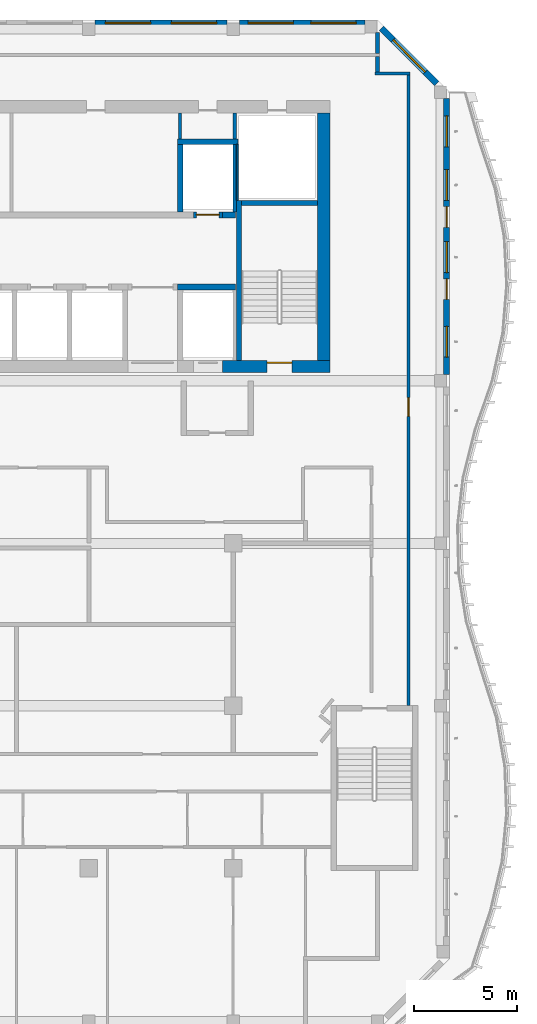
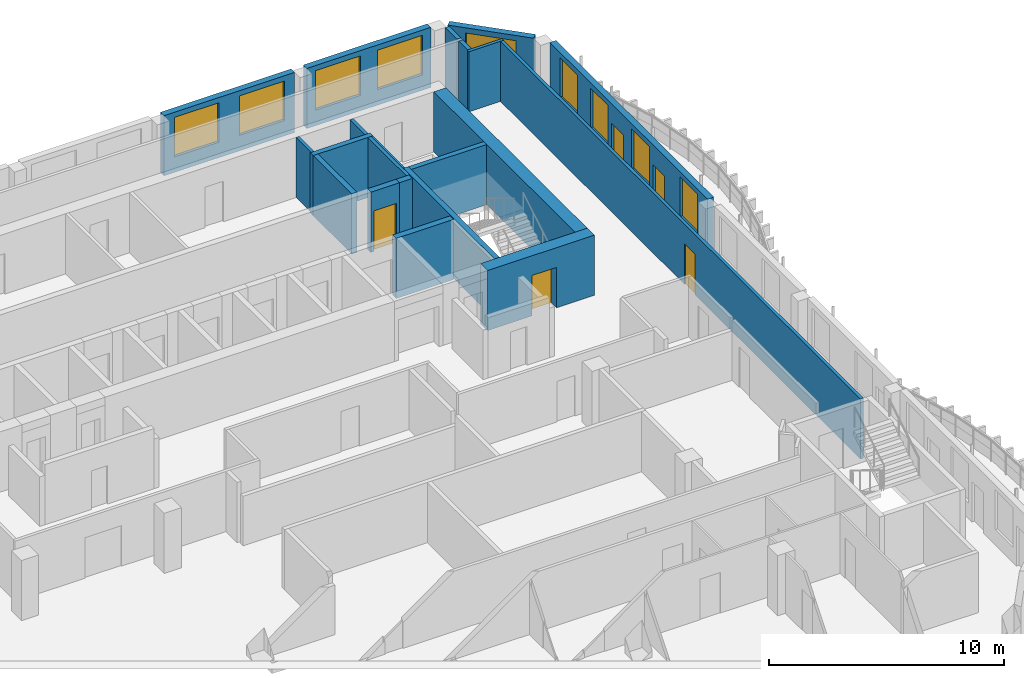
# One storey, part 8 of 17: 21 walls, 9 windows, 5 doors, 14 openings.
"""IFC4 building model written with IfcOpenShell, lengths in metres."""

from ifc_helpers import new_model, si_unit, direction, frame, frame_2d, origin, place, context, subcontext, project, spatial, rectangle, extrude, source, transform, mapped, material, layer, layer_set, type_object, element, fill, save


model = new_model("IFC4")

# Units and contexts
model_context = context("Model", 3, precision=1e-05, world=origin(), true_north=direction((0.0, 1.0)))
body_context = subcontext(model_context, "Body", "Model", "MODEL_VIEW")
ifc_project = project(units=[si_unit("LENGTHUNIT", "METRE"), si_unit("AREAUNIT", "SQUARE_METRE"), si_unit("VOLUMEUNIT", "CUBIC_METRE"), si_unit("PLANEANGLEUNIT", "RADIAN"), si_unit("MASSUNIT", "GRAM", prefix="KILO")], contexts=[model_context])

# Site, building, storey
site_placement = place(None, origin())
site = spatial("IfcSite", under=ifc_project, at=site_placement, CompositionType="ELEMENT")
building_placement = place(site_placement, origin())
building = spatial("IfcBuilding", under=site, at=building_placement, Name="Kilnfold Tower and Market Hall", CompositionType="ELEMENT")
storey_placement = place(building_placement, frame((0.0, 0.0, 298.39990234375)))
storey = spatial("IfcBuildingStorey", under=building, at=storey_placement, Name="L74", CompositionType="ELEMENT", Elevation=298.39990234375)

# Wall
ifc_material_1 = material(Name="Gypsum board on steel studs", Category="steel")
ifc_layer_1 = layer(ifc_material_1, 0.14990234375)
ifc_layer_set_1 = layer_set([ifc_layer_1], Name="Gypsum board on steel studs")
wall_type_1 = type_object("IfcWallType", Name="WALL CORRIDOR 150", PredefinedType="PARTITIONING", material=ifc_layer_set_1)
wall_1_placement = place(storey_placement, frame((21.574951171875, 22.89990234375, 0.0), z_axis=(0.0, 0.0, 1.0), x_axis=(-1.0, 0.0, 0.0)))
element("IfcWall", 1, at=wall_1_placement, inside=storey, type_object=wall_type_1, Name="Partition LY45.5", PredefinedType="PARTITIONING", context=body_context, shape_type="SweptSolid", body=[
    extrude(rectangle(XDim=1.68701171875, YDim=0.14990234375, at=frame_2d((0.843505859375, 0.0))), origin(), (0.0, 0.0, 1.0), 3.1201171875),
])

# Wall, opening, door
wall_2_placement = place(storey_placement, frame((21.5, -7.75, 0.0), z_axis=(0.0, 0.0, 1.0), x_axis=(0.0, 1.0, 0.0)))
wall_2 = element("IfcWall", 2, at=wall_2_placement, inside=storey, type_object=wall_type_1, Name="Partition LY45.6", PredefinedType="PARTITIONING", context=body_context, shape_type="SweptSolid", body=[
    extrude(rectangle(XDim=30.574951171875, YDim=0.14990234375, at=frame_2d((15.28759765625, 0.0))), origin(), (0.0, 0.0, 1.0), 3.1201171875),
])
opening_1_placement = place(wall_2_placement, frame((14.034912109375, 0.0, 0.0)))
opening_1 = element("IfcOpeningElement", 3, at=opening_1_placement, cuts=wall_2, Name="Opening D2", PredefinedType="OPENING", context=body_context, shape_type="SweptSolid", body=[
    extrude(rectangle(XDim=0.89990234375, YDim=2.10009765625, at=frame_2d((0.449951171875, 1.050048828125))), frame((0.0, 0.0849609375, 0.0), z_axis=(0.0, -1.0, 0.0), x_axis=(1.0, 0.0, 0.0)), (0.0, 0.0, 1.0), 0.169921875),
])
ifc_material_2 = material(Name="Timber veneer door leaf in steel frame", Category="steel")
door_type_1 = type_object("IfcDoorType", Name="DOOR ROOM 900 X2100", OperationType="NOTDEFINED", PredefinedType="DOOR", material=ifc_material_2)
door_1_placement = place(opening_1_placement, origin())
door_1 = element("IfcDoor", 4, at=door_1_placement, inside=storey, type_object=door_type_1, Name="Door D2", OperationType="SINGLE_SWING_LEFT", OverallHeight=2.10009765625, OverallWidth=0.89990234375, PredefinedType="DOOR", context=body_context, shape_type="SweptSolid", body=[
    extrude(rectangle(XDim=0.89990234375, YDim=2.10009765625, at=frame_2d((0.449951171875, 1.050048828125))), frame((0.0, 0.02490234375, 0.0), z_axis=(0.0, -1.0, 0.0), x_axis=(1.0, 0.0, 0.0)), (0.0, 0.0, 1.0), 0.050048828125),
])
fill(opening_1, door_1)

# Walls
ifc_material_3 = material(Name="Gypsum board on steel studs", Category="steel")
ifc_layer_2 = layer(ifc_material_3, 0.199951171875)
ifc_layer_set_2 = layer_set([ifc_layer_2], Name="Gypsum board on steel studs")
wall_type_2 = type_object("IfcWallType", Name="WALL PARTY 200", PredefinedType="PARTITIONING", material=ifc_layer_set_2)
wall_3_placement = place(storey_placement, frame((20.0, 23.876953125, 0.0), z_axis=(0.0, 0.0, 1.0), x_axis=(0.0, 1.0, 0.0)))
element("IfcWall", 5, at=wall_3_placement, inside=storey, type_object=wall_type_2, Name="Partition LY45.60", PredefinedType="PARTITIONING", context=body_context, shape_type="SweptSolid", body=[
    extrude(rectangle(XDim=1.005126953125, YDim=0.199951171875, at=frame_2d((0.50244140625, 0.0))), origin(), (0.0, 0.0, 1.0), 3.1201171875),
])
wall_4_placement = place(storey_placement, frame((19.998046875, 23.72705078125, 0.0), z_axis=(0.0, 0.0, 1.0), x_axis=(0.0, -1.0, 0.0)))
element("IfcWall", 6, at=wall_4_placement, inside=storey, type_object=wall_type_2, Name="Partition LY45.61", PredefinedType="PARTITIONING", context=body_context, shape_type="SweptSolid", body=[
    extrude(rectangle(XDim=0.751953125, YDim=0.199951171875, at=frame_2d((0.3759765625, 0.0))), origin(), (0.0, 0.0, 1.0), 3.1201171875),
])
ifc_material_4 = material(Name="Concrete C50", Category="concrete")
ifc_layer_3 = layer(ifc_material_4, 0.25)
ifc_layer_set_3 = layer_set([ifc_layer_3], Name="Concrete C50")
wall_type_3 = type_object("IfcWallType", Name="CORE WALL 250 C50", PredefinedType="SHEAR", material=ifc_layer_set_3)
shared_shape_1 = source(origin(), body_context, "Body", "SweptSolid", [
    extrude(rectangle(XDim=7.75, YDim=0.25, at=frame_2d((3.875, 0.0))), origin(), (0.0, 0.0, 1.0), 3.1201171875),
])
wall_5_placement = place(storey_placement, frame((13.27490234375, 9.0, 0.0), z_axis=(0.0, 0.0, 1.0), x_axis=(0.0, 1.0, 0.0)))
element("IfcWall", 7, at=wall_5_placement, inside=storey, type_object=wall_type_3, Name="Stair enclosure ST2", PredefinedType="SHEAR", context=body_context, shape_type="MappedRepresentation", body=[
    mapped(shared_shape_1, transform((0.0, 0.0, 0.0))),
])
shared_shape_2 = source(origin(), body_context, "Body", "SweptSolid", [
    extrude(rectangle(XDim=3.7001953125, YDim=0.25, at=frame_2d((1.85009765625, 0.0))), origin(), (0.0, 0.0, 1.0), 3.1201171875),
])
wall_6_placement = place(storey_placement, frame((13.39990234375, 16.625, 0.0), z_axis=(0.0, 0.0, 1.0), x_axis=(1.0, 0.0, 0.0)))
element("IfcWall", 8, at=wall_6_placement, inside=storey, type_object=wall_type_3, Name="Stair enclosure ST2", PredefinedType="SHEAR", context=body_context, shape_type="MappedRepresentation", body=[
    mapped(shared_shape_2, transform((0.0, 0.0, 0.0))),
])
ifc_material_5 = material(Name="Concrete C50", Category="concrete")
ifc_layer_4 = layer(ifc_material_5, 0.300048828125)
ifc_layer_set_4 = layer_set([ifc_layer_4], Name="Concrete C50")
wall_type_4 = type_object("IfcWallType", Name="CORE WALL 300 C50", PredefinedType="SHEAR", material=ifc_layer_set_4)
shared_shape_3 = source(origin(), body_context, "Body", "SweptSolid", [
    extrude(rectangle(XDim=2.820068359375, YDim=0.300048828125, at=frame_2d((1.41015625, 0.0))), origin(), (0.0, 0.0, 1.0), 3.1201171875),
])
wall_7_placement = place(storey_placement, frame((10.2900390625, 12.550048828125, 0.0), z_axis=(0.0, 0.0, 1.0), x_axis=(1.0, 0.0, 0.0)))
element("IfcWall", 9, at=wall_7_placement, inside=storey, type_object=wall_type_4, Name="Core spine wall", PredefinedType="SHEAR", context=body_context, shape_type="MappedRepresentation", body=[
    mapped(shared_shape_3, transform((0.0, 0.0, 0.0))),
])
shared_shape_4 = source(origin(), body_context, "Body", "SweptSolid", [
    extrude(rectangle(XDim=0.64013671875, YDim=0.300048828125, at=frame_2d((0.320068359375, 0.0))), origin(), (0.0, 0.0, 1.0), 3.1201171875),
])
wall_8_placement = place(storey_placement, frame((12.469970703125, 16.050048828125, 0.0), z_axis=(0.0, 0.0, 1.0), x_axis=(1.0, 0.0, 0.0)))
element("IfcWall", 10, at=wall_8_placement, inside=storey, type_object=wall_type_4, Name="Core spine wall", PredefinedType="SHEAR", context=body_context, shape_type="MappedRepresentation", body=[
    mapped(shared_shape_4, transform((0.0, 0.0, 0.0))),
])

# Wall, opening, door
ifc_material_6 = material(Name="Concrete C50", Category="concrete")
ifc_layer_5 = layer(ifc_material_6, 0.60009765625)
ifc_layer_set_5 = layer_set([ifc_layer_5], Name="Concrete C50")
wall_type_5 = type_object("IfcWallType", Name="CORE WALL 600 C50", PredefinedType="SHEAR", material=ifc_layer_set_5)
shared_shape_5 = source(origin(), body_context, "Body", "SweptSolid", [
    extrude(rectangle(XDim=5.22998046875, YDim=0.60009765625, at=frame_2d((2.614990234375, 0.0))), origin(), (0.0, 0.0, 1.0), 3.1201171875),
])
wall_9_placement = place(storey_placement, frame((12.469970703125, 8.699951171875, 0.0), z_axis=(0.0, 0.0, 1.0), x_axis=(1.0, 0.0, 0.0)))
wall_9 = element("IfcWall", 11, at=wall_9_placement, inside=storey, type_object=wall_type_5, Name="Core outer wall south", PredefinedType="SHEAR", context=body_context, shape_type="MappedRepresentation", body=[
    mapped(shared_shape_5, transform((0.0, 0.0, 0.0))),
])
opening_2_placement = place(wall_9_placement, frame((2.179931640625, 0.0, 0.0)))
opening_2 = element("IfcOpeningElement", 12, at=opening_2_placement, cuts=wall_9, Name="Opening SD1", PredefinedType="OPENING", context=body_context, shape_type="SweptSolid", body=[
    extrude(rectangle(XDim=1.199951171875, YDim=2.10009765625, at=frame_2d((0.60009765625, 1.050048828125))), frame((0.0, 0.31005859375, 0.0), z_axis=(0.0, -1.0, 0.0), x_axis=(1.0, 0.0, 0.0)), (0.0, 0.0, 1.0), 0.6201171875),
])
ifc_material_7 = material(Name="Steel door set with fire-resisting leaf", Category="steel")
door_type_2 = type_object("IfcDoorType", Name="STAIR FLOOR DOOR 1200X2100", OperationType="NOTDEFINED", PredefinedType="DOOR", material=ifc_material_7)
door_2_placement = place(opening_2_placement, origin())
door_2 = element("IfcDoor", 13, at=door_2_placement, inside=storey, type_object=door_type_2, Name="Exit stair ST2 door", OperationType="DOUBLE_DOOR_SINGLE_SWING", OverallHeight=2.10009765625, OverallWidth=1.199951171875, PredefinedType="DOOR", context=body_context, shape_type="SweptSolid", body=[
    extrude(rectangle(XDim=1.199951171875, YDim=2.10009765625, at=frame_2d((0.60009765625, 1.050048828125))), frame((0.0, 0.205078125, 0.0), z_axis=(0.0, -1.0, 0.0), x_axis=(1.0, 0.0, 0.0)), (0.0, 0.0, 1.0), 0.050048828125),
])
fill(opening_2, door_2)

# Wall
shared_shape_6 = source(origin(), body_context, "Body", "SweptSolid", [
    extrude(rectangle(XDim=12.0, YDim=0.60009765625, at=frame_2d((6.0, 0.0))), origin(), (0.0, 0.0, 1.0), 3.1201171875),
])
wall_10_placement = place(storey_placement, frame((17.39990234375, 9.0, 0.0), z_axis=(0.0, 0.0, 1.0), x_axis=(0.0, 1.0, 0.0)))
element("IfcWall", 14, at=wall_10_placement, inside=storey, type_object=wall_type_5, Name="Core outer wall east", PredefinedType="SHEAR", context=body_context, shape_type="MappedRepresentation", body=[
    mapped(shared_shape_6, transform((0.0, 0.0, 0.0))),
])

# Wall, openings, windows
ifc_material_8 = material(Name="Precast concrete C50/60", Category="concrete")
ifc_layer_6 = layer(ifc_material_8, 0.300048828125)
ifc_layer_set_6 = layer_set([ifc_layer_6], Name="Precast concrete C50/60")
wall_type_6 = type_object("IfcWallType", Name="PRECAST WALL 300", PredefinedType="SOLIDWALL", material=ifc_layer_set_6)
shared_shape_7 = source(origin(), body_context, "Body", "SweptSolid", [
    extrude(rectangle(XDim=6.39990234375, YDim=0.300048828125, at=frame_2d((3.199951171875, 0.0))), origin(), (0.0, 0.0, 1.0), 3.1201171875),
])
wall_11_placement = place(storey_placement, frame((12.699951171875, 25.35009765625, 0.0), z_axis=(0.0, 0.0, 1.0), x_axis=(-1.0, 0.0, 0.0)))
wall_11 = element("IfcWall", 15, at=wall_11_placement, inside=storey, type_object=wall_type_6, Name="External wall L74 N", PredefinedType="SOLIDWALL", context=body_context, shape_type="MappedRepresentation", body=[
    mapped(shared_shape_7, transform((0.0, 0.0, 0.0))),
])
opening_3_placement = place(wall_11_placement, frame((0.5, 0.0, 0.800048828125)))
opening_3 = element("IfcOpeningElement", 16, at=opening_3_placement, cuts=wall_11, Name="Opening W3", PredefinedType="OPENING", context=body_context, shape_type="SweptSolid", body=[
    extrude(rectangle(XDim=2.199951171875, YDim=2.050048828125, at=frame_2d((1.10009765625, 1.02490234375))), frame((0.0, 0.16015625, 0.0), z_axis=(0.0, -1.0, 0.0), x_axis=(1.0, 0.0, 0.0)), (0.0, 0.0, 1.0), 0.320068359375),
])
opening_4_placement = place(wall_11_placement, frame((3.699951171875, 0.0, 0.800048828125)))
opening_4 = element("IfcOpeningElement", 17, at=opening_4_placement, cuts=wall_11, Name="Opening W3", PredefinedType="OPENING", context=body_context, shape_type="SweptSolid", body=[
    extrude(rectangle(XDim=2.199951171875, YDim=2.050048828125, at=frame_2d((1.10009765625, 1.02490234375))), frame((0.0, 0.16015625, 0.0), z_axis=(0.0, -1.0, 0.0), x_axis=(1.0, 0.0, 0.0)), (0.0, 0.0, 1.0), 0.320068359375),
])
ifc_material_9 = material(Name="Aluminium frame and double glazing", Category="aluminium")
window_type_1 = type_object("IfcWindowType", Name="WINDOW W3 2200X2050", PartitioningType="SINGLE_PANEL", PredefinedType="WINDOW", material=ifc_material_9)
window_1_placement = place(opening_3_placement, origin())
window_1 = element("IfcWindow", 18, at=window_1_placement, inside=storey, type_object=window_type_1, Name="Window W3 L74 N-1", OverallHeight=2.050048828125, OverallWidth=2.199951171875, PartitioningType="SINGLE_PANEL", PredefinedType="WINDOW", context=body_context, shape_type="SweptSolid", body=[
    extrude(rectangle(XDim=2.199951171875, YDim=2.050048828125, at=frame_2d((1.10009765625, 1.02490234375))), frame((0.0, 0.030029296875, 0.0), z_axis=(0.0, -1.0, 0.0), x_axis=(1.0, 0.0, 0.0)), (0.0, 0.0, 1.0), 0.06005859375),
])
fill(opening_3, window_1)
window_2_placement = place(opening_4_placement, origin())
window_2 = element("IfcWindow", 19, at=window_2_placement, inside=storey, type_object=window_type_1, Name="Window W3 L74 N-2", OverallHeight=2.050048828125, OverallWidth=2.199951171875, PartitioningType="SINGLE_PANEL", PredefinedType="WINDOW", context=body_context, shape_type="SweptSolid", body=[
    extrude(rectangle(XDim=2.199951171875, YDim=2.050048828125, at=frame_2d((1.10009765625, 1.02490234375))), frame((0.0, 0.030029296875, 0.0), z_axis=(0.0, -1.0, 0.0), x_axis=(1.0, 0.0, 0.0)), (0.0, 0.0, 1.0), 0.06005859375),
])
fill(opening_4, window_2)

# Wall, opening, window
shared_shape_8 = source(origin(), body_context, "Body", "SweptSolid", [
    extrude(rectangle(XDim=3.783203125, YDim=0.300048828125, at=frame_2d((1.8916015625, 0.0))), origin(), (0.0, 0.0, 1.0), 3.1201171875),
])
wall_12_placement = place(storey_placement, frame((22.868896484375, 22.4189453125, 0.0), z_axis=(0.0, 0.0, 1.0), x_axis=(-0.707106781187, 0.707106781187, 0.0)))
wall_12 = element("IfcWall", 20, at=wall_12_placement, inside=storey, type_object=wall_type_6, Name="External wall L74 NE", PredefinedType="SOLIDWALL", context=body_context, shape_type="MappedRepresentation", body=[
    mapped(shared_shape_8, transform((0.0, 0.0, 0.0))),
])
opening_5_placement = place(wall_12_placement, frame((0.79150390625, 0.0, 0.800048828125)))
opening_5 = element("IfcOpeningElement", 21, at=opening_5_placement, cuts=wall_12, Name="Opening W3", PredefinedType="OPENING", context=body_context, shape_type="SweptSolid", body=[
    extrude(rectangle(XDim=2.199951171875, YDim=2.050048828125, at=frame_2d((1.10009765625, 1.02490234375))), frame((0.0, 0.16015625, 0.0), z_axis=(0.0, -1.0, 0.0), x_axis=(1.0, 0.0, 0.0)), (0.0, 0.0, 1.0), 0.320068359375),
])
window_3_placement = place(opening_5_placement, origin())
window_3 = element("IfcWindow", 22, at=window_3_placement, inside=storey, type_object=window_type_1, Name="Window W3 L74 NE-1", OverallHeight=2.050048828125, OverallWidth=2.199951171875, PartitioningType="SINGLE_PANEL", PredefinedType="WINDOW", context=body_context, shape_type="SweptSolid", body=[
    extrude(rectangle(XDim=2.199951171875, YDim=2.050048828125, at=frame_2d((1.10009765625, 1.02490234375))), frame((0.0, 0.030029296875, 0.0), z_axis=(0.0, -1.0, 0.0), x_axis=(1.0, 0.0, 0.0)), (0.0, 0.0, 1.0), 0.06005859375),
])
fill(opening_5, window_3)

# Wall, openings, doors, windows
shared_shape_9 = source(origin(), body_context, "Body", "SweptSolid", [
    extrude(rectangle(XDim=13.39990234375, YDim=0.300048828125, at=frame_2d((6.699951171875, 0.0))), origin(), (0.0, 0.0, 1.0), 3.1201171875),
])
wall_13_placement = place(storey_placement, frame((23.35009765625, 8.300048828125, 0.0), z_axis=(0.0, 0.0, 1.0), x_axis=(0.0, 1.0, 0.0)))
wall_13 = element("IfcWall", 23, at=wall_13_placement, inside=storey, type_object=wall_type_6, Name="External wall L74 E", PredefinedType="SOLIDWALL", context=body_context, shape_type="MappedRepresentation", body=[
    mapped(shared_shape_9, transform((0.0, 0.0, 0.0))),
])
opening_6_placement = place(wall_13_placement, frame((0.85009765625, 0.0, 0.800048828125)))
opening_6 = element("IfcOpeningElement", 24, at=opening_6_placement, cuts=wall_13, Name="Opening W5", PredefinedType="OPENING", context=body_context, shape_type="SweptSolid", body=[
    extrude(rectangle(XDim=1.5, YDim=2.050048828125, at=frame_2d((0.75, 1.02490234375))), frame((0.0, 0.16015625, 0.0), z_axis=(0.0, -1.0, 0.0), x_axis=(1.0, 0.0, 0.0)), (0.0, 0.0, 1.0), 0.320068359375),
])
opening_7_placement = place(wall_13_placement, frame((4.949951171875, 0.0, 0.800048828125)))
opening_7 = element("IfcOpeningElement", 25, at=opening_7_placement, cuts=wall_13, Name="Opening W5", PredefinedType="OPENING", context=body_context, shape_type="SweptSolid", body=[
    extrude(rectangle(XDim=1.5, YDim=2.050048828125, at=frame_2d((0.75, 1.02490234375))), frame((0.0, 0.16015625, 0.0), z_axis=(0.0, -1.0, 0.0), x_axis=(1.0, 0.0, 0.0)), (0.0, 0.0, 1.0), 0.320068359375),
])
opening_8_placement = place(wall_13_placement, frame((3.64990234375, 0.0, 0.0)))
opening_8 = element("IfcOpeningElement", 26, at=opening_8_placement, cuts=wall_13, Name="Opening BD1", PredefinedType="OPENING", context=body_context, shape_type="SweptSolid", body=[
    extrude(rectangle(XDim=1.0, YDim=2.10009765625, at=frame_2d((0.5, 1.050048828125))), frame((0.0, 0.16015625, 0.0), z_axis=(0.0, -1.0, 0.0), x_axis=(1.0, 0.0, 0.0)), (0.0, 0.0, 1.0), 0.320068359375),
])
opening_9_placement = place(wall_13_placement, frame((8.449951171875, 0.0, 0.800048828125)))
opening_9 = element("IfcOpeningElement", 27, at=opening_9_placement, cuts=wall_13, Name="Opening W5", PredefinedType="OPENING", context=body_context, shape_type="SweptSolid", body=[
    extrude(rectangle(XDim=1.5, YDim=2.050048828125, at=frame_2d((0.75, 1.02490234375))), frame((0.0, 0.16015625, 0.0), z_axis=(0.0, -1.0, 0.0), x_axis=(1.0, 0.0, 0.0)), (0.0, 0.0, 1.0), 0.320068359375),
])
opening_10_placement = place(wall_13_placement, frame((7.14990234375, 0.0, 0.0)))
opening_10 = element("IfcOpeningElement", 28, at=opening_10_placement, cuts=wall_13, Name="Opening BD1", PredefinedType="OPENING", context=body_context, shape_type="SweptSolid", body=[
    extrude(rectangle(XDim=1.0, YDim=2.10009765625, at=frame_2d((0.5, 1.050048828125))), frame((0.0, 0.16015625, 0.0), z_axis=(0.0, -1.0, 0.0), x_axis=(1.0, 0.0, 0.0)), (0.0, 0.0, 1.0), 0.320068359375),
])
opening_11_placement = place(wall_13_placement, frame((11.050048828125, 0.0, 0.800048828125)))
opening_11 = element("IfcOpeningElement", 29, at=opening_11_placement, cuts=wall_13, Name="Opening W5", PredefinedType="OPENING", context=body_context, shape_type="SweptSolid", body=[
    extrude(rectangle(XDim=1.5, YDim=2.050048828125, at=frame_2d((0.75, 1.02490234375))), frame((0.0, 0.16015625, 0.0), z_axis=(0.0, -1.0, 0.0), x_axis=(1.0, 0.0, 0.0)), (0.0, 0.0, 1.0), 0.320068359375),
])
ifc_material_10 = material(Name="Aluminium frame and double glazing", Category="aluminium")
door_type_3 = type_object("IfcDoorType", Name="BALCONY DOOR 1000X2100", OperationType="NOTDEFINED", PredefinedType="DOOR", material=ifc_material_10)
door_3_placement = place(opening_8_placement, origin())
door_3 = element("IfcDoor", 30, at=door_3_placement, inside=storey, type_object=door_type_3, Name="Balcony door BD1 L74 E-2", OperationType="SINGLE_SWING_RIGHT", OverallHeight=2.10009765625, OverallWidth=1.0, PredefinedType="DOOR", context=body_context, shape_type="SweptSolid", body=[
    extrude(rectangle(XDim=1.0, YDim=2.10009765625, at=frame_2d((0.5, 1.050048828125))), frame((0.0, 0.02490234375, 0.0), z_axis=(0.0, -1.0, 0.0), x_axis=(1.0, 0.0, 0.0)), (0.0, 0.0, 1.0), 0.050048828125),
])
fill(opening_8, door_3)
door_4_placement = place(opening_10_placement, origin())
door_4 = element("IfcDoor", 31, at=door_4_placement, inside=storey, type_object=door_type_3, Name="Balcony door BD1 L74 E-3", OperationType="SINGLE_SWING_LEFT", OverallHeight=2.10009765625, OverallWidth=1.0, PredefinedType="DOOR", context=body_context, shape_type="SweptSolid", body=[
    extrude(rectangle(XDim=1.0, YDim=2.10009765625, at=frame_2d((0.5, 1.050048828125))), frame((0.0, 0.02490234375, 0.0), z_axis=(0.0, -1.0, 0.0), x_axis=(1.0, 0.0, 0.0)), (0.0, 0.0, 1.0), 0.050048828125),
])
fill(opening_10, door_4)
ifc_material_11 = material(Name="Aluminium frame and double glazing", Category="aluminium")
window_type_2 = type_object("IfcWindowType", Name="WINDOW W5 1500X2050", PartitioningType="SINGLE_PANEL", PredefinedType="WINDOW", material=ifc_material_11)
window_4_placement = place(opening_6_placement, origin())
window_4 = element("IfcWindow", 32, at=window_4_placement, inside=storey, type_object=window_type_2, Name="Window W5 L74 E-1", OverallHeight=2.050048828125, OverallWidth=1.5, PartitioningType="SINGLE_PANEL", PredefinedType="WINDOW", context=body_context, shape_type="SweptSolid", body=[
    extrude(rectangle(XDim=1.5, YDim=2.050048828125, at=frame_2d((0.75, 1.02490234375))), frame((0.0, 0.030029296875, 0.0), z_axis=(0.0, -1.0, 0.0), x_axis=(1.0, 0.0, 0.0)), (0.0, 0.0, 1.0), 0.06005859375),
])
fill(opening_6, window_4)
window_5_placement = place(opening_7_placement, origin())
window_5 = element("IfcWindow", 33, at=window_5_placement, inside=storey, type_object=window_type_2, Name="Window W5 L74 E-2", OverallHeight=2.050048828125, OverallWidth=1.5, PartitioningType="SINGLE_PANEL", PredefinedType="WINDOW", context=body_context, shape_type="SweptSolid", body=[
    extrude(rectangle(XDim=1.5, YDim=2.050048828125, at=frame_2d((0.75, 1.02490234375))), frame((0.0, 0.030029296875, 0.0), z_axis=(0.0, -1.0, 0.0), x_axis=(1.0, 0.0, 0.0)), (0.0, 0.0, 1.0), 0.06005859375),
])
fill(opening_7, window_5)
window_6_placement = place(opening_9_placement, origin())
window_6 = element("IfcWindow", 34, at=window_6_placement, inside=storey, type_object=window_type_2, Name="Window W5 L74 E-3", OverallHeight=2.050048828125, OverallWidth=1.5, PartitioningType="SINGLE_PANEL", PredefinedType="WINDOW", context=body_context, shape_type="SweptSolid", body=[
    extrude(rectangle(XDim=1.5, YDim=2.050048828125, at=frame_2d((0.75, 1.02490234375))), frame((0.0, 0.030029296875, 0.0), z_axis=(0.0, -1.0, 0.0), x_axis=(1.0, 0.0, 0.0)), (0.0, 0.0, 1.0), 0.06005859375),
])
fill(opening_9, window_6)
window_7_placement = place(opening_11_placement, origin())
window_7 = element("IfcWindow", 35, at=window_7_placement, inside=storey, type_object=window_type_2, Name="Window W5 L74 E-4", OverallHeight=2.050048828125, OverallWidth=1.5, PartitioningType="SINGLE_PANEL", PredefinedType="WINDOW", context=body_context, shape_type="SweptSolid", body=[
    extrude(rectangle(XDim=1.5, YDim=2.050048828125, at=frame_2d((0.75, 1.02490234375))), frame((0.0, 0.030029296875, 0.0), z_axis=(0.0, -1.0, 0.0), x_axis=(1.0, 0.0, 0.0)), (0.0, 0.0, 1.0), 0.06005859375),
])
fill(opening_11, window_7)

# Wall, openings, windows
shared_shape_10 = source(origin(), body_context, "Body", "SweptSolid", [
    extrude(rectangle(XDim=6.081787109375, YDim=0.300048828125, at=frame_2d((3.041015625, 0.0))), origin(), (0.0, 0.0, 1.0), 3.1201171875),
])
wall_14_placement = place(storey_placement, frame((19.3818359375, 25.35009765625, 0.0), z_axis=(0.0, 0.0, 1.0), x_axis=(-1.0, 0.0, 0.0)))
wall_14 = element("IfcWall", 36, at=wall_14_placement, inside=storey, type_object=wall_type_6, Name="External wall L74 N", PredefinedType="SOLIDWALL", context=body_context, shape_type="MappedRepresentation", body=[
    mapped(shared_shape_10, transform((0.0, 0.0, 0.0))),
])
opening_12_placement = place(wall_14_placement, frame((0.42041015625, 0.0, 0.800048828125)))
opening_12 = element("IfcOpeningElement", 37, at=opening_12_placement, cuts=wall_14, Name="Opening W3", PredefinedType="OPENING", context=body_context, shape_type="SweptSolid", body=[
    extrude(rectangle(XDim=2.199951171875, YDim=2.050048828125, at=frame_2d((1.10009765625, 1.02490234375))), frame((0.0, 0.16015625, 0.0), z_axis=(0.0, -1.0, 0.0), x_axis=(1.0, 0.0, 0.0)), (0.0, 0.0, 1.0), 0.320068359375),
])
opening_13_placement = place(wall_14_placement, frame((3.461181640625, 0.0, 0.800048828125)))
opening_13 = element("IfcOpeningElement", 38, at=opening_13_placement, cuts=wall_14, Name="Opening W3", PredefinedType="OPENING", context=body_context, shape_type="SweptSolid", body=[
    extrude(rectangle(XDim=2.199951171875, YDim=2.050048828125, at=frame_2d((1.10009765625, 1.02490234375))), frame((0.0, 0.16015625, 0.0), z_axis=(0.0, -1.0, 0.0), x_axis=(1.0, 0.0, 0.0)), (0.0, 0.0, 1.0), 0.320068359375),
])
window_8_placement = place(opening_12_placement, origin())
window_8 = element("IfcWindow", 39, at=window_8_placement, inside=storey, type_object=window_type_1, Name="Window W3 L74 N-1", OverallHeight=2.050048828125, OverallWidth=2.199951171875, PartitioningType="SINGLE_PANEL", PredefinedType="WINDOW", context=body_context, shape_type="SweptSolid", body=[
    extrude(rectangle(XDim=2.199951171875, YDim=2.050048828125, at=frame_2d((1.10009765625, 1.02490234375))), frame((0.0, 0.030029296875, 0.0), z_axis=(0.0, -1.0, 0.0), x_axis=(1.0, 0.0, 0.0)), (0.0, 0.0, 1.0), 0.06005859375),
])
fill(opening_12, window_8)
window_9_placement = place(opening_13_placement, origin())
window_9 = element("IfcWindow", 40, at=window_9_placement, inside=storey, type_object=window_type_1, Name="Window W3 L74 N-2", OverallHeight=2.050048828125, OverallWidth=2.199951171875, PartitioningType="SINGLE_PANEL", PredefinedType="WINDOW", context=body_context, shape_type="SweptSolid", body=[
    extrude(rectangle(XDim=2.199951171875, YDim=2.050048828125, at=frame_2d((1.10009765625, 1.02490234375))), frame((0.0, 0.030029296875, 0.0), z_axis=(0.0, -1.0, 0.0), x_axis=(1.0, 0.0, 0.0)), (0.0, 0.0, 1.0), 0.06005859375),
])
fill(opening_13, window_9)

# Wall, opening, door
ifc_material_12 = material(Name="Gypsum shaft wall system")
ifc_layer_7 = layer(ifc_material_12, 0.300048828125)
ifc_layer_set_7 = layer_set([ifc_layer_7], Name="Gypsum shaft wall system")
wall_type_7 = type_object("IfcWallType", Name="SHAFT WALL 300", PredefinedType="PARTITIONING", material=ifc_layer_set_7)
shared_shape_11 = source(origin(), body_context, "Body", "SweptSolid", [
    extrude(rectangle(XDim=1.39990234375, YDim=0.300048828125, at=frame_2d((0.699951171875, 0.0))), origin(), (0.0, 0.0, 1.0), 3.1201171875),
])
wall_15_placement = place(storey_placement, frame((11.070068359375, 16.050048828125, 0.0), z_axis=(0.0, 0.0, 1.0), x_axis=(1.0, 0.0, 0.0)))
wall_15 = element("IfcWall", 41, at=wall_15_placement, inside=storey, type_object=wall_type_7, Name="Lift shaft front wall", PredefinedType="PARTITIONING", context=body_context, shape_type="MappedRepresentation", body=[
    mapped(shared_shape_11, transform((0.0, 0.0, 0.0))),
])
opening_14_placement = place(wall_15_placement, frame((0.14990234375, 0.0, 0.0)))
opening_14 = element("IfcOpeningElement", 42, at=opening_14_placement, cuts=wall_15, Name="Opening LD2", PredefinedType="OPENING", context=body_context, shape_type="SweptSolid", body=[
    extrude(rectangle(XDim=1.10009765625, YDim=2.10009765625, at=frame_2d((0.550048828125, 1.050048828125))), frame((0.0, 0.16015625, 0.0), z_axis=(0.0, -1.0, 0.0), x_axis=(1.0, 0.0, 0.0)), (0.0, 0.0, 1.0), 0.320068359375),
])
ifc_material_13 = material(Name="Steel door set with fire-resisting leaf", Category="steel")
door_type_4 = type_object("IfcDoorType", Name="LANDING DOOR 1100X2100", OperationType="NOTDEFINED", PredefinedType="DOOR", material=ifc_material_13)
door_5_placement = place(opening_14_placement, origin())
door_5 = element("IfcDoor", 43, at=door_5_placement, inside=storey, type_object=door_type_4, Name="Landing door HR6", OperationType="DOUBLE_DOOR_SLIDING", OverallHeight=2.10009765625, OverallWidth=1.10009765625, PredefinedType="DOOR", context=body_context, shape_type="SweptSolid", body=[
    extrude(rectangle(XDim=1.10009765625, YDim=2.10009765625, at=frame_2d((0.550048828125, 1.050048828125))), frame((0.0, 0.02490234375, 0.0), z_axis=(0.0, -1.0, 0.0), x_axis=(1.0, 0.0, 0.0)), (0.0, 0.0, 1.0), 0.050048828125),
])
fill(opening_14, door_5)

# Walls
ifc_material_14 = material(Name="Gypsum shaft wall system")
ifc_layer_8 = layer(ifc_material_14, 0.1650390625)
ifc_layer_set_8 = layer_set([ifc_layer_8], Name="Gypsum shaft wall system")
wall_type_8 = type_object("IfcWallType", Name="SHAFT WALL 165", PredefinedType="PARTITIONING", material=ifc_layer_set_8)
shared_shape_12 = source(origin(), body_context, "Body", "SweptSolid", [
    extrude(rectangle(XDim=3.275146484375, YDim=0.1650390625, at=frame_2d((1.6376953125, 0.0))), origin(), (0.0, 0.0, 1.0), 3.1201171875),
])
wall_16_placement = place(storey_placement, frame((13.0673828125, 16.199951171875, 0.0), z_axis=(0.0, 0.0, 1.0), x_axis=(0.0, 1.0, 0.0)))
element("IfcWall", 44, at=wall_16_placement, inside=storey, type_object=wall_type_8, Name="Lift shaft wall", PredefinedType="PARTITIONING", context=body_context, shape_type="MappedRepresentation", body=[
    mapped(shared_shape_12, transform((0.0, 0.0, 0.0))),
])
shared_shape_13 = source(origin(), body_context, "Body", "SweptSolid", [
    extrude(rectangle(XDim=1.27490234375, YDim=0.1650390625, at=frame_2d((0.637451171875, 0.0))), origin(), (0.0, 0.0, 1.0), 3.1201171875),
])
wall_17_placement = place(storey_placement, frame((13.0673828125, 19.72509765625, 0.0), z_axis=(0.0, 0.0, 1.0), x_axis=(0.0, 1.0, 0.0)))
element("IfcWall", 45, at=wall_17_placement, inside=storey, type_object=wall_type_8, Name="Lift shaft wall", PredefinedType="PARTITIONING", context=body_context, shape_type="MappedRepresentation", body=[
    mapped(shared_shape_13, transform((0.0, 0.0, 0.0))),
])
ifc_material_15 = material(Name="Gypsum shaft wall system")
ifc_layer_9 = layer(ifc_material_15, 0.25)
ifc_layer_set_9 = layer_set([ifc_layer_9], Name="Gypsum shaft wall system")
wall_type_9 = type_object("IfcWallType", Name="SHAFT WALL 250", PredefinedType="PARTITIONING", material=ifc_layer_set_9)
shared_shape_14 = source(origin(), body_context, "Body", "SweptSolid", [
    extrude(rectangle(XDim=3.275146484375, YDim=0.25, at=frame_2d((1.6376953125, 0.0))), origin(), (0.0, 0.0, 1.0), 3.1201171875),
])
wall_18_placement = place(storey_placement, frame((10.429931640625, 16.199951171875, 0.0), z_axis=(0.0, 0.0, 1.0), x_axis=(0.0, 1.0, 0.0)))
element("IfcWall", 46, at=wall_18_placement, inside=storey, type_object=wall_type_9, Name="Lift shaft wall", PredefinedType="PARTITIONING", context=body_context, shape_type="MappedRepresentation", body=[
    mapped(shared_shape_14, transform((0.0, 0.0, 0.0))),
])
ifc_material_16 = material(Name="Gypsum shaft wall system")
ifc_layer_10 = layer(ifc_material_16, 0.0849609375)
ifc_layer_set_10 = layer_set([ifc_layer_10], Name="Gypsum shaft wall system")
wall_type_10 = type_object("IfcWallType", Name="SHAFT WALL 85", PredefinedType="PARTITIONING", material=ifc_layer_set_10)
shared_shape_15 = source(origin(), body_context, "Body", "SweptSolid", [
    extrude(rectangle(XDim=2.72509765625, YDim=0.0849609375, at=frame_2d((1.362548828125, 0.0))), origin(), (0.0, 0.0, 1.0), 3.1201171875),
])
wall_19_placement = place(storey_placement, frame((13.1923828125, 16.75, 0.0), z_axis=(0.0, 0.0, 1.0), x_axis=(0.0, 1.0, 0.0)))
element("IfcWall", 47, at=wall_19_placement, inside=storey, type_object=wall_type_10, Name="Lift shaft wall", PredefinedType="PARTITIONING", context=body_context, shape_type="MappedRepresentation", body=[
    mapped(shared_shape_15, transform((0.0, 0.0, 0.0))),
])
ifc_material_17 = material(Name="Gypsum shaft wall system")
ifc_layer_11 = layer(ifc_material_17, 0.14990234375)
ifc_layer_set_11 = layer_set([ifc_layer_11], Name="Gypsum shaft wall system")
wall_type_11 = type_object("IfcWallType", Name="ROOM WALL 150", PredefinedType="PARTITIONING", material=ifc_layer_set_11)
shared_shape_16 = source(origin(), body_context, "Body", "SweptSolid", [
    extrude(rectangle(XDim=1.27490234375, YDim=0.14990234375, at=frame_2d((0.637451171875, 0.0))), origin(), (0.0, 0.0, 1.0), 3.1201171875),
])
wall_20_placement = place(storey_placement, frame((10.429931640625, 19.72509765625, 0.0), z_axis=(0.0, 0.0, 1.0), x_axis=(0.0, 1.0, 0.0)))
element("IfcWall", 48, at=wall_20_placement, inside=storey, type_object=wall_type_11, Name="Core room wall", PredefinedType="PARTITIONING", context=body_context, shape_type="MappedRepresentation", body=[
    mapped(shared_shape_16, transform((0.0, 0.0, 0.0))),
])
shared_shape_17 = source(origin(), body_context, "Body", "SweptSolid", [
    extrude(rectangle(XDim=2.93017578125, YDim=0.25, at=frame_2d((1.465087890625, 0.0))), origin(), (0.0, 0.0, 1.0), 3.1201171875),
])
wall_21_placement = place(storey_placement, frame((10.304931640625, 19.60009765625, 0.0), z_axis=(0.0, 0.0, 1.0), x_axis=(1.0, 0.0, 0.0)))
element("IfcWall", 49, at=wall_21_placement, inside=storey, type_object=wall_type_9, Name="Lift shaft wall", PredefinedType="PARTITIONING", context=body_context, shape_type="MappedRepresentation", body=[
    mapped(shared_shape_17, transform((0.0, 0.0, 0.0))),
])

save(model, "model.ifc")
